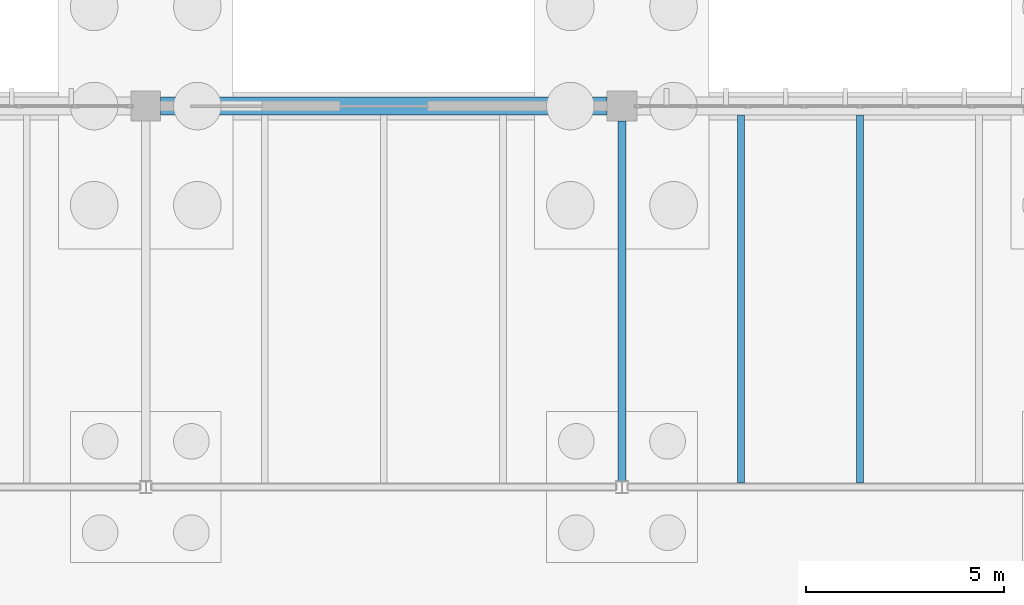
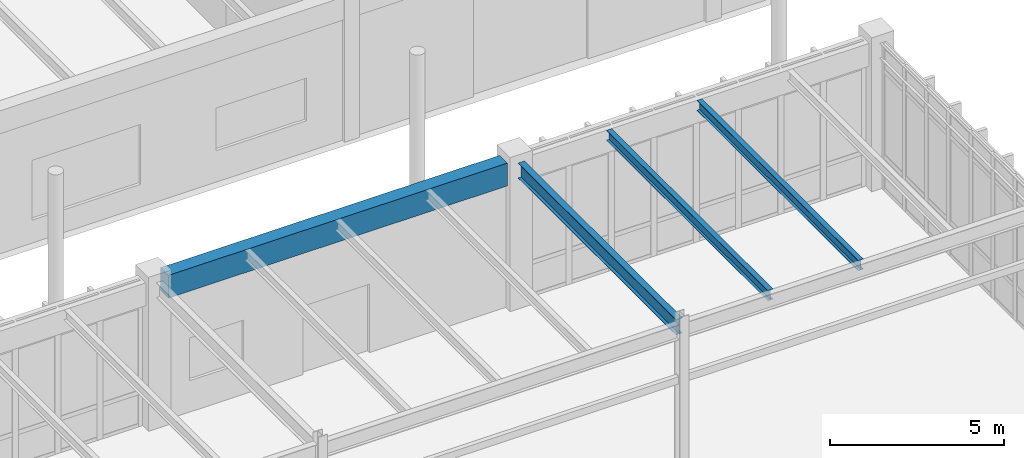
# One storey, part 81 of 188: 4 beams.
"""IFC4 building model written with IfcOpenShell, lengths in metres."""

from ifc_helpers import new_model, si_unit, direction, frame, origin, origin_2d, place, context, subcontext, project, spatial, rectangle, i_section, extrude, material, material_profile, profile_set, type_object, element, save


model = new_model("IFC4")

# Units and contexts
model_context = context("Model", 3, precision=1e-05, world=origin(), true_north=direction((0.0, 1.0)))
body_context = subcontext(model_context, "Body", "Model", "MODEL_VIEW")
ifc_project = project(units=[si_unit("LENGTHUNIT", "METRE"), si_unit("AREAUNIT", "SQUARE_METRE"), si_unit("VOLUMEUNIT", "CUBIC_METRE"), si_unit("PLANEANGLEUNIT", "RADIAN"), si_unit("MASSUNIT", "GRAM", prefix="KILO")], contexts=[model_context])

# Site, building, storey
site_placement = place(None, origin())
site = spatial("IfcSite", under=ifc_project, at=site_placement, CompositionType="ELEMENT")
building_placement = place(site_placement, origin())
building = spatial("IfcBuilding", under=site, at=building_placement, Name="Pandanus Reach Market Hall", CompositionType="ELEMENT")
storey_placement = place(building_placement, origin())
storey = spatial("IfcBuildingStorey", under=building, at=storey_placement, Name="L00", CompositionType="ELEMENT", Elevation=0.0)

# Beams
ifc_material_1 = material(Name="Concrete N40 (40 MPa)", Category="concrete")
ifc_material_profile_1 = material_profile(ifc_material_1, rectangle(XDim=0.449951171875, YDim=0.800048828125, at=origin_2d()), Name="RC450x800", Category="LoadBearing")
ifc_profile_set_1 = profile_set([ifc_material_profile_1], Name="Concrete N40 (40 MPa)")
beam_type_1 = type_object("IfcBeamType", Name="BM-RC450-E", PredefinedType="SPANDREL", material=ifc_profile_set_1)
beam_1_placement = place(storey_placement, frame((108.373046875, 86.39990234375, 4.719970703125), z_axis=(1.0, 0.0, 0.0), x_axis=(0.0, 1.0, 0.0)))
element("IfcBeam", 1, at=beam_1_placement, inside=storey, type_object=beam_type_1, Name="Framing beam BM-RC450-E L00.1064", PredefinedType="SPANDREL", context=body_context, shape_type="SweptSolid", body=[
    extrude(rectangle(XDim=0.449951171875, YDim=0.800048828125, at=origin_2d()), origin(), (0.0, 0.0, 1.0), 11.25390625),
])
ifc_material_2 = material(Name="Steel Grade 350 (350 MPa)", Category="steel")
ifc_material_profile_2 = material_profile(ifc_material_2, i_section(OverallWidth=0.208984375, OverallDepth=0.532958984375, WebThickness=0.01025390625, FlangeThickness=0.015625, at=origin_2d()), Name="530UB92.4", Category="LoadBearing")
ifc_profile_set_2 = profile_set([ifc_material_profile_2], Name="Steel Grade 350 (350 MPa)")
beam_type_2 = type_object("IfcBeamType", Name="BM-UB530-I", PredefinedType="BEAM", material=ifc_profile_set_2)
beam_2_placement = place(storey_placement, frame((120.0, 76.95556640625, 4.85302734375), z_axis=(0.0, 1.0, 0.0), x_axis=(-1.0, 0.0, 0.0)))
element("IfcBeam", 2, at=beam_2_placement, inside=storey, type_object=beam_type_2, Name="Framing beam BM-UB530-I L00.1079", PredefinedType="BEAM", context=body_context, shape_type="SweptSolid", body=[
    extrude(i_section(OverallWidth=0.208984375, OverallDepth=0.532958984375, WebThickness=0.01025390625, FlangeThickness=0.015625, at=origin_2d()), origin(), (0.0, 0.0, 1.0), 9.071533203125),
])
ifc_material_profile_3 = material_profile(ifc_material_2, i_section(OverallWidth=0.1708984375, OverallDepth=0.35595703125, WebThickness=0.00732421875, FlangeThickness=0.011474609375, at=origin_2d()), Name="360UB50.7", Category="LoadBearing")
ifc_profile_set_3 = profile_set([ifc_material_profile_3], Name="Steel Grade 350 (350 MPa)")
beam_type_3 = type_object("IfcBeamType", Name="JS-UB360-I", PredefinedType="JOIST", material=ifc_profile_set_3)
for number, where, z_axis, x_axis, name in (
    (3, (123.0, 76.902587890625, 4.941650390625), (0.0, 1.0, 0.0), (-1.0, 0.0, 0.0), "Secondary joist JS-UB360-I L00.1135"),
    (4, (126.0, 76.902587890625, 4.941650390625), (0.0, 1.0, 0.0), (-1.0, 0.0, 0.0), "Secondary joist JS-UB360-I L00.1136"),
):
    element("IfcBeam", number, at=place(storey_placement, frame(where, z_axis=z_axis, x_axis=x_axis)), inside=storey, type_object=beam_type_3, Name=name, PredefinedType="JOIST", context=body_context, shape_type="SweptSolid", body=[
        extrude(i_section(OverallWidth=0.1708984375, OverallDepth=0.35595703125, WebThickness=0.00732421875, FlangeThickness=0.011474609375, at=origin_2d()), origin(), (0.0, 0.0, 1.0), 9.2744140625),
    ])

save(model, "model.ifc")
